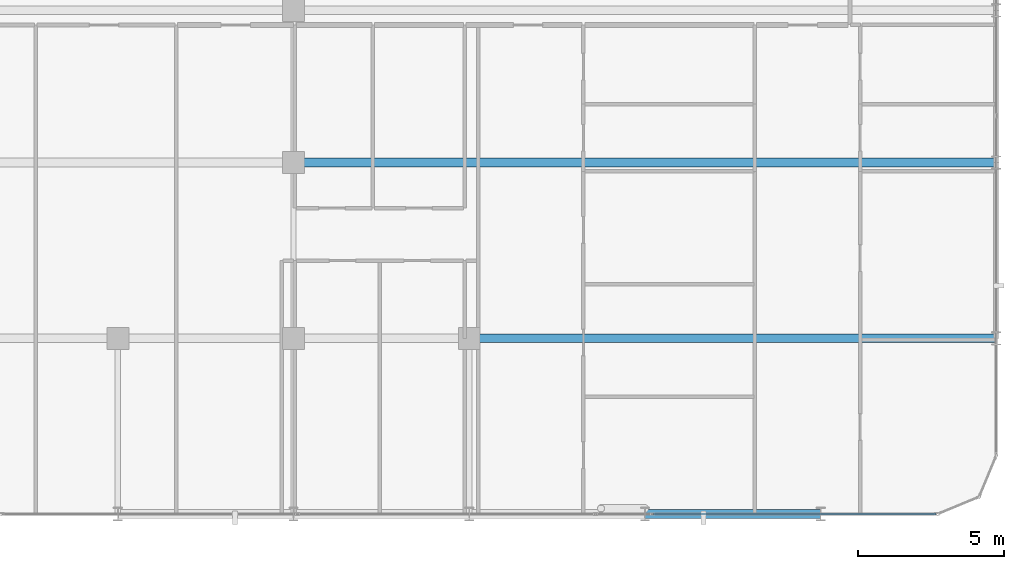
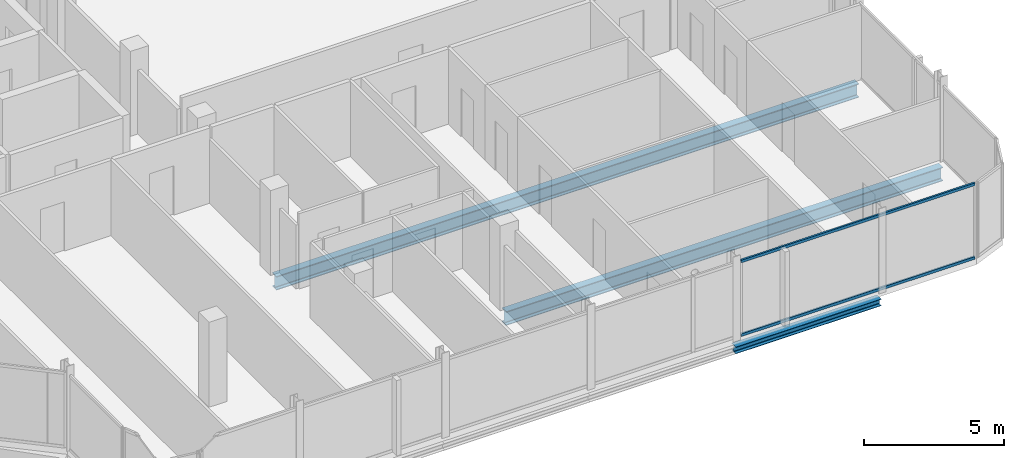
# One storey, part 11 of 28: 3 beams, 2 members, 1 element without a shape of its own.
"""IFC4 building model written with IfcOpenShell, lengths in metres."""

from ifc_helpers import new_model, si_unit, direction, frame, origin, origin_2d, place, context, subcontext, project, spatial, hollow_rectangle, i_section, extrude, material, layer, layer_set, material_profile, profile_set, type_object, element, aggregate, save


model = new_model("IFC4")

# Units and contexts
model_context = context("Model", 3, precision=1e-05, world=origin(), true_north=direction((0.0, 1.0)))
body_context = subcontext(model_context, "Body", "Model", "MODEL_VIEW")
ifc_project = project(units=[si_unit("LENGTHUNIT", "METRE"), si_unit("AREAUNIT", "SQUARE_METRE"), si_unit("VOLUMEUNIT", "CUBIC_METRE"), si_unit("PLANEANGLEUNIT", "RADIAN"), si_unit("MASSUNIT", "GRAM", prefix="KILO")], contexts=[model_context])

# Site, building, storey
site_placement = place(None, origin())
site = spatial("IfcSite", under=ifc_project, at=site_placement, CompositionType="ELEMENT")
building_placement = place(site_placement, origin())
building = spatial("IfcBuilding", under=site, at=building_placement, Name="Keshet Zoharim Tower", CompositionType="ELEMENT")
storey_placement = place(building_placement, frame((0.0, 0.0, 233.89990234375)))
storey = spatial("IfcBuildingStorey", under=building, at=storey_placement, Name="L58", CompositionType="ELEMENT", Elevation=233.89990234375)

# Beams
ifc_material_1 = material(Name="Steel S355", Category="steel")
ifc_material_profile_1 = material_profile(ifc_material_1, i_section(OverallWidth=0.300048828125, OverallDepth=0.60009765625, WebThickness=0.015380859375, FlangeThickness=0.030029296875, FilletRadius=0.027099609375, at=origin_2d()), Name="HEB600")
ifc_profile_set_1 = profile_set([ifc_material_profile_1], Name="Steel S355")
beam_type_1 = type_object("IfcBeamType", Name="BM-LNG-HB600", PredefinedType="BEAM", material=ifc_profile_set_1)
beam_1_placement = place(storey_placement, frame((39.0, 6.699951171875, -0.60986328125), z_axis=(1.0, 0.0, 0.0), x_axis=(0.0, 1.0, 0.0)))
element("IfcBeam", 1, at=beam_1_placement, inside=storey, type_object=beam_type_1, Name="L58 Primary Girder X-008", PredefinedType="BEAM", context=body_context, shape_type="SweptSolid", body=[
    extrude(i_section(OverallWidth=0.300048828125, OverallDepth=0.60009765625, WebThickness=0.015380859375, FlangeThickness=0.030029296875, FilletRadius=0.027099609375, at=origin_2d()), origin(), (0.0, 0.0, 1.0), 18.0),
])
beam_2_placement = place(storey_placement, frame((33.0, 12.699951171875, -0.60986328125), z_axis=(1.0, 0.0, 0.0), x_axis=(0.0, 1.0, 0.0)))
element("IfcBeam", 2, at=beam_2_placement, inside=storey, type_object=beam_type_1, Name="L58 Primary Girder X-010", PredefinedType="BEAM", context=body_context, shape_type="SweptSolid", body=[
    extrude(i_section(OverallWidth=0.300048828125, OverallDepth=0.60009765625, WebThickness=0.015380859375, FlangeThickness=0.030029296875, FilletRadius=0.027099609375, at=origin_2d()), origin(), (0.0, 0.0, 1.0), 24.0),
])
ifc_material_profile_2 = material_profile(ifc_material_1, i_section(OverallWidth=0.300048828125, OverallDepth=0.300048828125, WebThickness=0.010986328125, FlangeThickness=0.01904296875, FilletRadius=0.027099609375, at=origin_2d()), Name="HEB300")
ifc_profile_set_2 = profile_set([ifc_material_profile_2], Name="Steel S355")
beam_type_2 = type_object("IfcBeamType", Name="BM-PRI-HB300", PredefinedType="BEAM", material=ifc_profile_set_2)
beam_3_placement = place(storey_placement, frame((45.0, 0.699951171875, -0.4599609375), z_axis=(1.0, 0.0, 0.0), x_axis=(0.0, 1.0, 0.0)))
element("IfcBeam", 3, at=beam_3_placement, inside=storey, type_object=beam_type_2, Name="L58 Primary Girder X-004", PredefinedType="BEAM", context=body_context, shape_type="SweptSolid", body=[
    extrude(i_section(OverallWidth=0.300048828125, OverallDepth=0.300048828125, WebThickness=0.010986328125, FlangeThickness=0.01904296875, FilletRadius=0.027099609375, at=origin_2d()), origin(), (0.0, 0.0, 1.0), 6.0),
])

# Curtain wall, members
ifc_material_2 = material(Name="Aluminium 6063-T6", Category="aluminium")
ifc_layer = layer(ifc_material_2, 0.139892578125)
ifc_layer_set = layer_set([ifc_layer], Name="Aluminium 6063-T6")
curtain_wall_type = type_object("IfcCurtainWallType", Name="CW-SYS-05", PredefinedType="NOTDEFINED", material=ifc_layer_set)
curtain_wall_placement = place(storey_placement, origin())
curtain_wall = element("IfcCurtainWall", 4, at=curtain_wall_placement, inside=storey, type_object=curtain_wall_type, Name="L58 Unitised Curtain Wall 06", PredefinedType="NOTDEFINED")
ifc_material_profile_3 = material_profile(ifc_material_2, hollow_rectangle(XDim=0.074951171875, YDim=0.1201171875, WallThickness=0.00390625, at=origin_2d()), Name="TRN-75x120")
ifc_profile_set_3 = profile_set([ifc_material_profile_3], Name="Aluminium 6063-T6")
member_type = type_object("IfcMemberType", Name="CWT-T12", PredefinedType="USERDEFINED", material=ifc_profile_set_3)
member_1_placement = place(storey_placement, frame((54.929931640625, 0.699951171875, 0.03515625), z_axis=(-1.0, 0.0, 0.0), x_axis=(0.0, -1.0, 0.0)))
member_1 = element("IfcMember", 5, at=member_1_placement, type_object=member_type, Name="CW-05 transom 1.1", ObjectType="TRANSOM", PredefinedType="USERDEFINED", context=body_context, shape_type="SweptSolid", body=[
    extrude(hollow_rectangle(XDim=0.074951171875, YDim=0.1201171875, WallThickness=0.00390625, at=origin_2d()), origin(), (0.0, 0.0, 1.0), 9.6357421875),
])
member_2_placement = place(storey_placement, frame((54.929931640625, 0.699951171875, 3.2451171875), z_axis=(-1.0, 0.0, 0.0), x_axis=(0.0, -1.0, 0.0)))
member_2 = element("IfcMember", 6, at=member_2_placement, type_object=member_type, Name="CW-05 transom 1.2", ObjectType="TRANSOM", PredefinedType="USERDEFINED", context=body_context, shape_type="SweptSolid", body=[
    extrude(hollow_rectangle(XDim=0.074951171875, YDim=0.1201171875, WallThickness=0.00390625, at=origin_2d()), origin(), (0.0, 0.0, 1.0), 9.6357421875),
])
aggregate(curtain_wall, [member_1, member_2])

save(model, "model.ifc")
